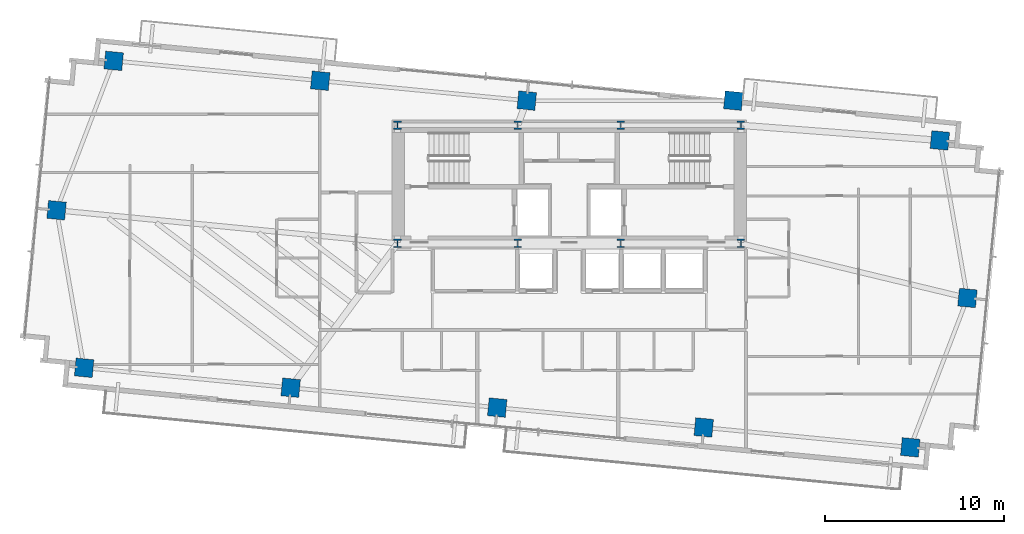
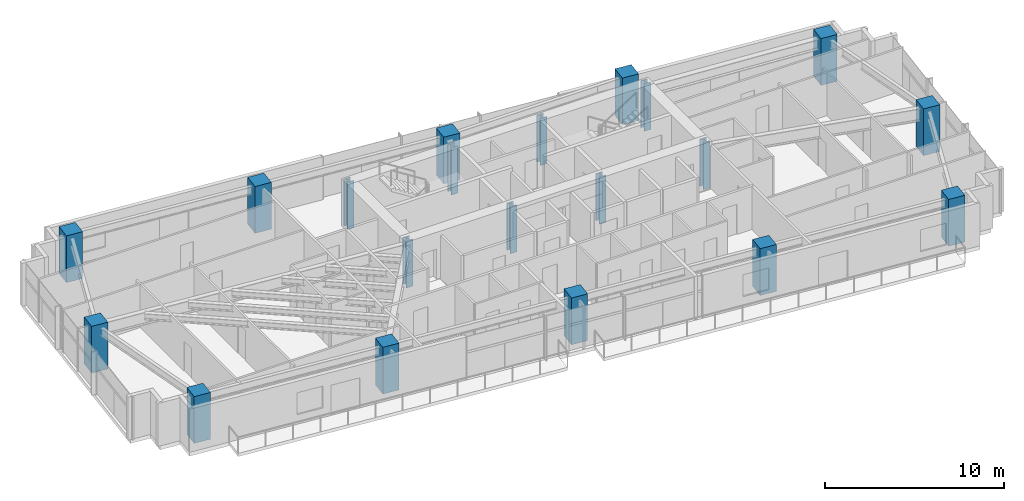
# One storey, part 1 of 20: 20 columns.
"""IFC4 building model written with IfcOpenShell, lengths in metres."""

from ifc_helpers import new_model, si_unit, direction, frame, origin, origin_2d, place, context, subcontext, project, spatial, rectangle, i_section, extrude, source, transform, mapped, material, material_profile, profile_set, type_object, type_shapes, element, save


model = new_model("IFC4")

# Units and contexts
model_context = context("Model", 3, precision=1e-05, world=origin(), true_north=direction((0.0, 1.0)))
body_context = subcontext(model_context, "Body", "Model", "MODEL_VIEW")
ifc_project = project(units=[si_unit("LENGTHUNIT", "METRE"), si_unit("AREAUNIT", "SQUARE_METRE"), si_unit("VOLUMEUNIT", "CUBIC_METRE"), si_unit("PLANEANGLEUNIT", "RADIAN"), si_unit("MASSUNIT", "GRAM", prefix="KILO")], contexts=[model_context])

# Site, building, storey
site_placement = place(None, origin())
site = spatial("IfcSite", under=ifc_project, at=site_placement, CompositionType="ELEMENT")
building_placement = place(site_placement, origin())
building = spatial("IfcBuilding", under=site, at=building_placement, Name="Astriad Promenade Condominiums", CompositionType="ELEMENT")
storey_placement = place(building_placement, frame((0.0, 0.0, 153.39990234375)))
storey = spatial("IfcBuildingStorey", under=building, at=storey_placement, Name="L44", CompositionType="ELEMENT", Elevation=153.39990234375)

# Columns
ifc_material_1 = material(Name="Steel ASTM A992 Grade 50", Category="steel")
ifc_material_profile_1 = material_profile(ifc_material_1, i_section(OverallWidth=0.42138671875, OverallDepth=0.464599609375, WebThickness=0.044921875, FlangeThickness=0.072509765625, FilletRadius=0.017822265625, at=origin_2d()), Name="W14X398")
ifc_profile_set_1 = profile_set([ifc_material_profile_1], Name="Steel ASTM A992 Grade 50")
column_type_1 = type_object("IfcColumnType", Name="STEEL CORE PILASTER W14X398", PredefinedType="PILASTER", material=ifc_profile_set_1)
shared_shape_1 = source(origin(), body_context, "Body", "SweptSolid", [
    extrude(i_section(OverallWidth=0.42138671875, OverallDepth=0.464599609375, WebThickness=0.044921875, FlangeThickness=0.072509765625, FilletRadius=0.017822265625, at=origin_2d()), origin(), (0.0, 0.0, 1.0), 3.19580078125),
])
type_shapes(column_type_1, [shared_shape_1])
for number, where, z_axis, x_axis, name in (
    (1, (26.39990234375, 17.39990234375, 0.002197265625), (0.0, 0.0, 1.0), (1.0, 0.0, 0.0), "Core Pilaster Column CP1 (L44)"),
    (2, (33.1201171875, 17.39990234375, 0.002197265625), (0.0, 0.0, 1.0), (1.0, 0.0, 0.0), "Core Pilaster Column CP2 (L44)"),
    (3, (38.8798828125, 17.39990234375, 0.002197265625), (0.0, 0.0, 1.0), (1.0, 0.0, 0.0), "Core Pilaster Column CP3 (L44)"),
    (4, (45.60009765625, 17.39990234375, 0.002197265625), (0.0, 0.0, 1.0), (1.0, 0.0, 0.0), "Core Pilaster Column CP4 (L44)"),
    (5, (26.39990234375, 24.0, 0.002197265625), (0.0, 0.0, 1.0), (1.0, 0.0, 0.0), "Core Pilaster Column CP5 (L44)"),
    (6, (33.1201171875, 24.0, 0.002197265625), (0.0, 0.0, 1.0), (1.0, 0.0, 0.0), "Core Pilaster Column CP6 (L44)"),
    (7, (38.8798828125, 24.0, 0.002197265625), (0.0, 0.0, 1.0), (1.0, 0.0, 0.0), "Core Pilaster Column CP7 (L44)"),
    (8, (45.60009765625, 24.0, 0.002197265625), (0.0, 0.0, 1.0), (1.0, 0.0, 0.0), "Core Pilaster Column CP8 (L44)"),
):
    element("IfcColumn", number, at=place(storey_placement, frame(where, z_axis=z_axis, x_axis=x_axis)), inside=storey, type_object=column_type_1, Name=name, PredefinedType="PILASTER", context=body_context, shape_type="MappedRepresentation", body=[
        mapped(shared_shape_1, transform((0.0, 0.0, 0.0), scale=1.0)),
    ])
ifc_material_2 = material(Name="Concrete C60/75", Category="concrete")
ifc_material_profile_2 = material_profile(ifc_material_2, rectangle(XDim=1.0, YDim=1.0, at=origin_2d()), Name="RC-COL-1000X1000")
ifc_profile_set_2 = profile_set([ifc_material_profile_2], Name="Concrete C60/75")
column_type_2 = type_object("IfcColumnType", Name="CONCRETE TOWER COLUMN 1000X1000", PredefinedType="COLUMN", material=ifc_profile_set_2)
shared_shape_2 = source(origin(), body_context, "Body", "SweptSolid", [
    extrude(rectangle(XDim=1.0, YDim=1.0, at=origin_2d()), origin(), (0.0, 0.0, 1.0), 3.19580078125),
])
type_shapes(column_type_2, [shared_shape_2])
for number, where, z_axis, x_axis, name in (
    (9, (8.880615234375, 10.443359375, 0.002197265625), (0.0, 0.0, 1.0), (0.995396198367, -0.09584575252, 0.0), "Perimeter Column PC01 (L44)"),
    (10, (20.42724609375, 9.33154296875, 0.002197265625), (0.0, 0.0, 1.0), (0.995396198367, -0.09584575252, 0.0), "Perimeter Column PC02 (L44)"),
    (11, (31.973876953125, 8.2197265625, 0.002197265625), (0.0, 0.0, 1.0), (0.995396198367, -0.09584575252, 0.0), "Perimeter Column PC03 (L44)"),
    (12, (43.5205078125, 7.10791015625, 0.002197265625), (0.0, 0.0, 1.0), (0.995396198367, -0.09584575252, 0.0), "Perimeter Column PC04 (L44)"),
    (13, (55.06689453125, 5.99609375, 0.002197265625), (0.0, 0.0, 1.0), (0.995396198367, -0.09584575252, 0.0), "Perimeter Column PC05 (L44)"),
    (14, (10.532958984375, 27.60400390625, 0.002197265625), (0.0, 0.0, 1.0), (0.995396198367, -0.09584575252, 0.0), "Perimeter Column PC06 (L44)"),
    (15, (22.07958984375, 26.4921875, 0.002197265625), (0.0, 0.0, 1.0), (0.995396198367, -0.09584575252, 0.0), "Perimeter Column PC07 (L44)"),
    (16, (33.626220703125, 25.38037109375, 0.002197265625), (0.0, 0.0, 1.0), (0.995396198367, -0.09584575252, 0.0), "Perimeter Column PC08 (L44)"),
    (17, (45.1728515625, 25.3798828125, 0.002197265625), (0.0, 0.0, 1.0), (0.995396198367, -0.09584575252, 0.0), "Perimeter Column PC09 (L44)"),
    (18, (56.719482421875, 23.15673828125, 0.002197265625), (0.0, 0.0, 1.0), (0.995396198367, -0.09584575252, 0.0), "Perimeter Column PC10 (L44)"),
    (19, (7.337890625, 19.251708984375, 0.002197265625), (0.0, 0.0, 1.0), (0.995396198367, -0.09584575252, 0.0), "Perimeter Column PC11 (L44)"),
    (20, (58.26220703125, 14.348388671875, 0.002197265625), (0.0, 0.0, 1.0), (0.995396198367, -0.09584575252, 0.0), "Perimeter Column PC12 (L44)"),
):
    element("IfcColumn", number, at=place(storey_placement, frame(where, z_axis=z_axis, x_axis=x_axis)), inside=storey, type_object=column_type_2, Name=name, PredefinedType="COLUMN", context=body_context, shape_type="MappedRepresentation", body=[
        mapped(shared_shape_2, transform((0.0, 0.0, 0.0), scale=1.0)),
    ])

save(model, "model.ifc")
